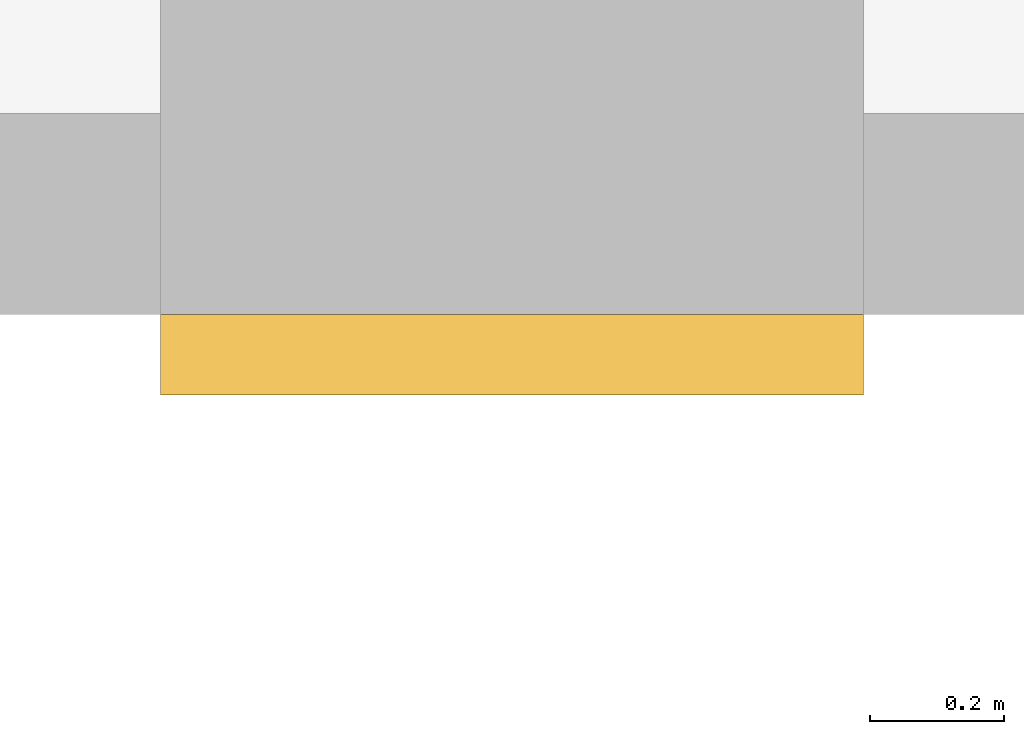
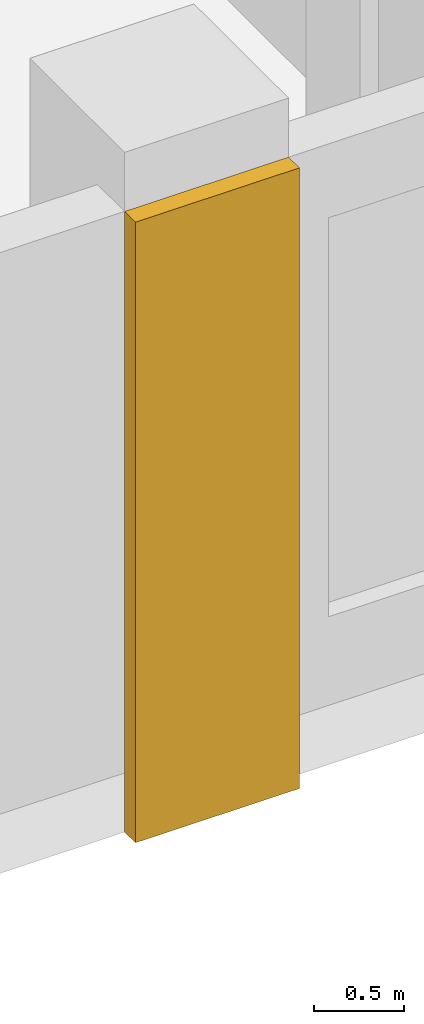
# One storey, part 14 of 14: 1 covering.
"""IFC4 building model written with IfcOpenShell, lengths in metres."""

from ifc_helpers import new_model, si_unit, direction, frame, origin, origin_2d, place, context, subcontext, project, spatial, rectangle, extrude, source, transform, mapped, material, type_object, element, save


model = new_model("IFC4")

# Units and contexts
model_context = context("Model", 3, precision=1e-05, world=origin(), true_north=direction((0.0, 1.0)))
body_context = subcontext(model_context, "Body", "Model", "MODEL_VIEW")
ifc_project = project(units=[si_unit("LENGTHUNIT", "METRE"), si_unit("AREAUNIT", "SQUARE_METRE"), si_unit("VOLUMEUNIT", "CUBIC_METRE"), si_unit("PLANEANGLEUNIT", "RADIAN"), si_unit("MASSUNIT", "GRAM", prefix="KILO")], contexts=[model_context])

# Site, building, storey
site_placement = place(None, origin())
site = spatial("IfcSite", under=ifc_project, at=site_placement, CompositionType="ELEMENT")
building_placement = place(site_placement, origin())
building = spatial("IfcBuilding", under=site, at=building_placement, Name="Aurelian Terraces", CompositionType="ELEMENT")
storey_placement = place(building_placement, frame((0.0, 0.0, 149.7)))
storey = spatial("IfcBuildingStorey", under=building, at=storey_placement, Name="L33", CompositionType="ELEMENT", Elevation=149.7)

# Covering
ifc_material = material(Name="Terracotta rainscreen cladding relief", Category="masonry")
covering_type = type_object("IfcCoveringType", Name="BAGUETTE-TC", PredefinedType="CLADDING", material=ifc_material)
shared_shape = source(origin(), body_context, "Body", "SweptSolid", [
    extrude(rectangle(XDim=1.05, YDim=0.12, at=origin_2d()), origin(), (0.0, 0.0, 1.0), 4.2),
])
covering_placement = place(storey_placement, frame((63.84, -0.06, -0.4), z_axis=(0.0, 0.0, 1.0), x_axis=(1.0, 0.0, 0.0)))
element("IfcCovering", 1, at=covering_placement, inside=storey, type_object=covering_type, Name="BAGUETTE pier L33 4", PredefinedType="CLADDING", context=body_context, shape_type="MappedRepresentation", body=[
    mapped(shared_shape, transform((0.0, 0.0, 0.0), scale=1.0)),
])

save(model, "model.ifc")
